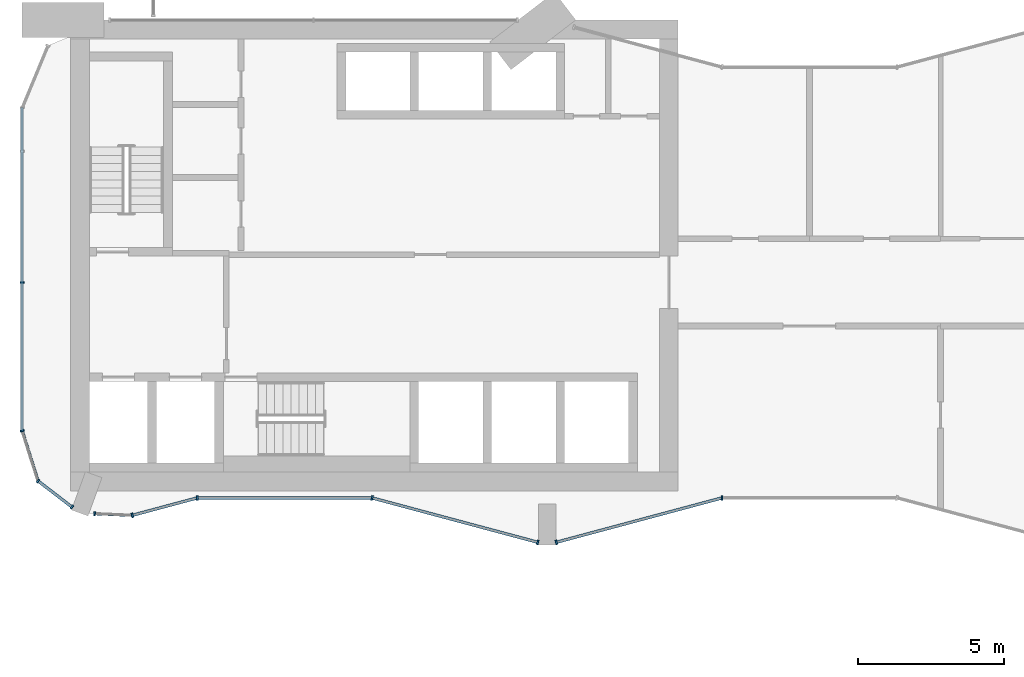
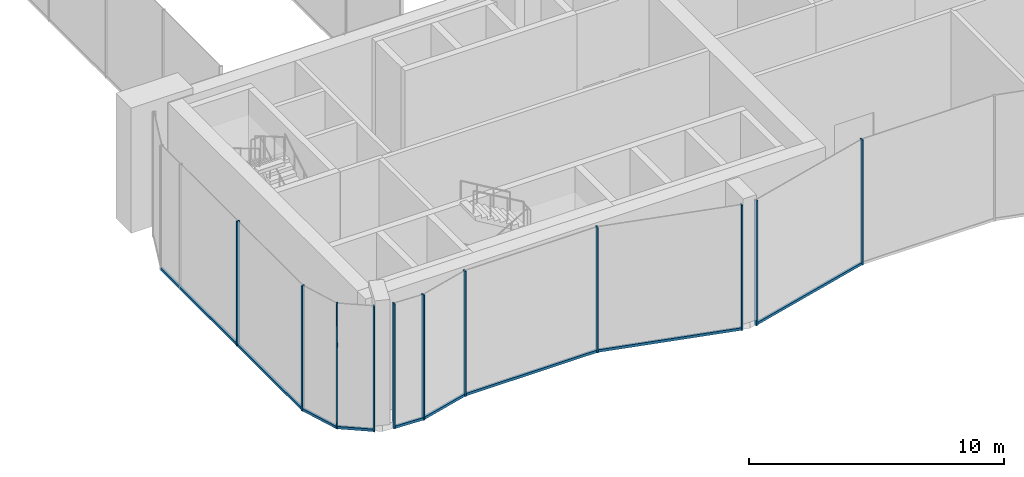
# One storey, part 2 of 19: 19 members, 9 elements without a shape of their own.
"""IFC4 building model written with IfcOpenShell, lengths in metres."""

from ifc_helpers import new_model, si_unit, direction, frame, origin, origin_2d, place, context, subcontext, project, spatial, rectangle, extrude, material, layer, layer_set, material_profile, profile_set, type_object, element, aggregate, save


model = new_model("IFC4")

# Units and contexts
model_context = context("Model", 3, precision=1e-05, world=origin(), true_north=direction((0.0, 1.0)))
body_context = subcontext(model_context, "Body", "Model", "MODEL_VIEW")
ifc_project = project(units=[si_unit("LENGTHUNIT", "METRE"), si_unit("AREAUNIT", "SQUARE_METRE"), si_unit("VOLUMEUNIT", "CUBIC_METRE"), si_unit("PLANEANGLEUNIT", "RADIAN"), si_unit("MASSUNIT", "GRAM", prefix="KILO")], contexts=[model_context])

# Site, building, storey
site_placement = place(None, origin())
site = spatial("IfcSite", under=ifc_project, at=site_placement, CompositionType="ELEMENT")
building_placement = place(site_placement, origin())
building = spatial("IfcBuilding", under=site, at=building_placement, Name="Plateau Cross Towers", CompositionType="ELEMENT")
storey_placement = place(building_placement, frame((0.0, 0.0, 128.60009765625)))
storey = spatial("IfcBuildingStorey", under=building, at=storey_placement, Name="L33", CompositionType="ELEMENT", Elevation=128.60009765625)

# Curtain wall, member
ifc_material_1 = material(Name="Dark low-iron glass", Category="glass")
ifc_layer_1 = layer(ifc_material_1, 0.239990234375)
ifc_layer_set_1 = layer_set([ifc_layer_1], Name="Dark low-iron glass")
curtain_wall_type_1 = type_object("IfcCurtainWallType", Name="Curtain wall flush unitised CW-B", PredefinedType="NOTDEFINED", material=ifc_layer_set_1)
curtain_wall_1_placement = place(storey_placement, origin())
curtain_wall_1 = element("IfcCurtainWall", 1, at=curtain_wall_1_placement, inside=storey, type_object=curtain_wall_type_1, Name="ENV/A/L33/A0_150", PredefinedType="NOTDEFINED")
ifc_material_2 = material(Name="Black anodised aluminium", Category="aluminium")
ifc_material_profile_1 = material_profile(ifc_material_2, rectangle(XDim=0.06005859375, YDim=0.139892578125, at=origin_2d()), Name="MULLION 60x140")
ifc_profile_set_1 = profile_set([ifc_material_profile_1], Name="Black anodised aluminium")
member_type_1 = type_object("IfcMemberType", Name="Mullion 60x140 flush unitised", PredefinedType="MULLION", material=ifc_profile_set_1)
member_1_placement = place(storey_placement, frame((0.0, 9.0, -0.300048828125), z_axis=(0.0, 0.0, 1.0), x_axis=(0.0, -1.0, 0.0)))
member_1 = element("IfcMember", 2, at=member_1_placement, type_object=member_type_1, Name="CW-B mullion 3", PredefinedType="MULLION", context=body_context, shape_type="SweptSolid", body=[
    extrude(rectangle(XDim=0.06005859375, YDim=0.139892578125, at=origin_2d()), origin(), (0.0, 0.0, 1.0), 6.0),
])

curtain_wall_2_placement = place(storey_placement, origin())
curtain_wall_2 = element("IfcCurtainWall", 3, at=curtain_wall_2_placement, inside=storey, type_object=curtain_wall_type_1, Name="ENV/A/L33/A0_39", PredefinedType="NOTDEFINED")
member_2_placement = place(storey_placement, frame((0.0, 3.9091796875, -0.300048828125), z_axis=(0.0, 0.0, 1.0), x_axis=(0.300686174994, -0.95372313811, 0.0)))
member_2 = element("IfcMember", 4, at=member_2_placement, type_object=member_type_1, Name="CW-B mullion 1", PredefinedType="MULLION", context=body_context, shape_type="SweptSolid", body=[
    extrude(rectangle(XDim=0.06005859375, YDim=0.139892578125, at=origin_2d()), origin(), (0.0, 0.0, 1.0), 6.0),
])

# Curtain wall, members
curtain_wall_3_placement = place(storey_placement, origin())
curtain_wall_3 = element("IfcCurtainWall", 5, at=curtain_wall_3_placement, inside=storey, type_object=curtain_wall_type_1, Name="ENV/A/L33/A5_22", PredefinedType="NOTDEFINED")
member_3_placement = place(storey_placement, frame((0.54248046875, 2.1884765625, -0.300048828125), z_axis=(0.0, 0.0, 1.0), x_axis=(0.793315514529, -0.608810721331, 0.0)))
member_3 = element("IfcMember", 6, at=member_3_placement, type_object=member_type_1, Name="CW-B mullion 1", PredefinedType="MULLION", context=body_context, shape_type="SweptSolid", body=[
    extrude(rectangle(XDim=0.06005859375, YDim=0.139892578125, at=origin_2d()), origin(), (0.0, 0.0, 1.0), 6.0),
])
member_4_placement = place(storey_placement, frame((1.709716796875, 1.292724609375, -0.300048828125), z_axis=(0.0, 0.0, 1.0), x_axis=(0.793315514529, -0.608810721331, 0.0)))
member_4 = element("IfcMember", 7, at=member_4_placement, type_object=member_type_1, Name="CW-B mullion 2", PredefinedType="MULLION", context=body_context, shape_type="SweptSolid", body=[
    extrude(rectangle(XDim=0.06005859375, YDim=0.139892578125, at=origin_2d()), origin(), (0.0, 0.0, 1.0), 6.0),
])

# Curtain wall, member
curtain_wall_4_placement = place(storey_placement, origin())
curtain_wall_4 = element("IfcCurtainWall", 8, at=curtain_wall_4_placement, inside=storey, type_object=curtain_wall_type_1, Name="ENV/A/L33/A25_11", PredefinedType="NOTDEFINED")
member_5_placement = place(storey_placement, frame((2.483642578125, 1.06787109375, -0.300048828125), z_axis=(0.0, 0.0, 1.0), x_axis=(0.999043701491, -0.043722791671, 0.0)))
member_5 = element("IfcMember", 9, at=member_5_placement, type_object=member_type_1, Name="CW-B mullion 1", PredefinedType="MULLION", context=body_context, shape_type="SweptSolid", body=[
    extrude(rectangle(XDim=0.06005859375, YDim=0.139892578125, at=origin_2d()), origin(), (0.0, 0.0, 1.0), 6.0),
])

ifc_layer_2 = layer(ifc_material_1, 0.260009765625)
ifc_layer_set_2 = layer_set([ifc_layer_2], Name="Dark low-iron glass")
curtain_wall_type_2 = type_object("IfcCurtainWallType", Name="Curtain wall fluted unitised CW-A", PredefinedType="NOTDEFINED", material=ifc_layer_set_2)
curtain_wall_5_placement = place(storey_placement, origin())
curtain_wall_5 = element("IfcCurtainWall", 10, at=curtain_wall_5_placement, inside=storey, type_object=curtain_wall_type_2, Name="ENV/A/L33/A38_10", PredefinedType="NOTDEFINED")
ifc_material_profile_2 = material_profile(ifc_material_2, rectangle(XDim=0.06005859375, YDim=0.159912109375, at=origin_2d()), Name="MULLION 60x160")
ifc_profile_set_2 = profile_set([ifc_material_profile_2], Name="Black anodised aluminium")
member_type_2 = type_object("IfcMemberType", Name="Mullion 60x160 fluted unitised", PredefinedType="MULLION", material=ifc_profile_set_2)
member_6_placement = place(storey_placement, frame((3.776123046875, 1.01123046875, -0.300048828125), z_axis=(0.0, 0.0, 1.0), x_axis=(0.965957962328, 0.258699081978, 0.0)))
member_6 = element("IfcMember", 11, at=member_6_placement, type_object=member_type_2, Name="CW-A mullion 1", PredefinedType="MULLION", context=body_context, shape_type="SweptSolid", body=[
    extrude(rectangle(XDim=0.06005859375, YDim=0.159912109375, at=origin_2d()), origin(), (0.0, 0.0, 1.0), 6.0),
])

curtain_wall_6_placement = place(storey_placement, origin())
curtain_wall_6 = element("IfcCurtainWall", 12, at=curtain_wall_6_placement, inside=storey, type_object=curtain_wall_type_2, Name="ENV/A/L33/A60_16", PredefinedType="NOTDEFINED")
member_7_placement = place(storey_placement, frame((6.0, 1.60693359375, -0.300048828125), z_axis=(0.0, 0.0, 1.0), x_axis=(1.0, 0.0, 0.0)))
member_7 = element("IfcMember", 13, at=member_7_placement, type_object=member_type_2, Name="CW-A mullion 1", PredefinedType="MULLION", context=body_context, shape_type="SweptSolid", body=[
    extrude(rectangle(XDim=0.06005859375, YDim=0.159912109375, at=origin_2d()), origin(), (0.0, 0.0, 1.0), 6.0),
])

# Curtain wall, members
curtain_wall_7_placement = place(storey_placement, origin())
curtain_wall_7 = element("IfcCurtainWall", 14, at=curtain_wall_7_placement, inside=storey, type_object=curtain_wall_type_2, Name="ENV/A/L33/A120_16", PredefinedType="NOTDEFINED")
member_8_placement = place(storey_placement, frame((12.0, 1.60693359375, -0.300048828125), z_axis=(0.0, 0.0, 1.0), x_axis=(0.965957983404, -0.258699003279, 0.0)))
member_8 = element("IfcMember", 15, at=member_8_placement, type_object=member_type_2, Name="CW-A mullion 1", PredefinedType="MULLION", context=body_context, shape_type="SweptSolid", body=[
    extrude(rectangle(XDim=0.06005859375, YDim=0.159912109375, at=origin_2d()), origin(), (0.0, 0.0, 1.0), 6.0),
])
member_9_placement = place(storey_placement, frame((17.68212890625, 0.085205078125, -0.300048828125), z_axis=(0.0, 0.0, 1.0), x_axis=(0.965957983404, -0.258699003279, 0.0)))
member_9 = element("IfcMember", 16, at=member_9_placement, type_object=member_type_2, Name="CW-A mullion 2", PredefinedType="MULLION", context=body_context, shape_type="SweptSolid", body=[
    extrude(rectangle(XDim=0.06005859375, YDim=0.159912109375, at=origin_2d()), origin(), (0.0, 0.0, 1.0), 6.0),
])

# Curtain wall, member
curtain_wall_8_placement = place(storey_placement, origin())
curtain_wall_8 = element("IfcCurtainWall", 17, at=curtain_wall_8_placement, inside=storey, type_object=curtain_wall_type_2, Name="ENV/A/L33/A183_1", PredefinedType="NOTDEFINED")
member_10_placement = place(storey_placement, frame((18.31787109375, 0.085205078125, -0.300048828125), z_axis=(0.0, 0.0, 1.0), x_axis=(0.965957983404, 0.258699003279, 0.0)))
member_10 = element("IfcMember", 18, at=member_10_placement, type_object=member_type_2, Name="CW-A mullion 1", PredefinedType="MULLION", context=body_context, shape_type="SweptSolid", body=[
    extrude(rectangle(XDim=0.06005859375, YDim=0.159912109375, at=origin_2d()), origin(), (0.0, 0.0, 1.0), 6.0),
])

curtain_wall_9_placement = place(storey_placement, origin())
curtain_wall_9 = element("IfcCurtainWall", 19, at=curtain_wall_9_placement, inside=storey, type_object=curtain_wall_type_2, Name="ENV/A/L33/A240_16", PredefinedType="NOTDEFINED")
member_11_placement = place(storey_placement, frame((24.0, 1.60693359375, -0.300048828125), z_axis=(0.0, 0.0, 1.0), x_axis=(1.0, 0.0, 0.0)))
member_11 = element("IfcMember", 20, at=member_11_placement, type_object=member_type_2, Name="CW-A mullion 1", PredefinedType="MULLION", context=body_context, shape_type="SweptSolid", body=[
    extrude(rectangle(XDim=0.06005859375, YDim=0.159912109375, at=origin_2d()), origin(), (0.0, 0.0, 1.0), 6.0),
])
aggregate(curtain_wall_9, [member_11])

# Member
ifc_material_profile_3 = material_profile(ifc_material_2, rectangle(XDim=0.10009765625, YDim=0.1201171875, at=origin_2d()), Name="TRANSOM 100x120")
ifc_profile_set_3 = profile_set([ifc_material_profile_3], Name="Black anodised aluminium")
member_type_3 = type_object("IfcMemberType", Name="Transom 100x120 flush unitised", PredefinedType="USERDEFINED", material=ifc_profile_set_3)
member_12_placement = place(storey_placement, frame((0.0, 15.0, -0.239990234375), z_axis=(0.0, -1.0, 0.0), x_axis=(1.0, 0.0, 0.0)))
member_12 = element("IfcMember", 21, at=member_12_placement, type_object=member_type_3, Name="CW-B transom", ObjectType="TRANSOM", PredefinedType="USERDEFINED", context=body_context, shape_type="SweptSolid", body=[
    extrude(rectangle(XDim=0.10009765625, YDim=0.1201171875, at=origin_2d()), origin(), (0.0, 0.0, 1.0), 11.0908203125),
])

aggregate(curtain_wall_1, [member_1, member_12])

member_13_placement = place(storey_placement, frame((0.0, 3.9091796875, -0.239990234375), z_axis=(0.30067799945, -0.953725715626, 0.0), x_axis=(0.953725715626, 0.30067799945, 0.0)))
member_13 = element("IfcMember", 22, at=member_13_placement, type_object=member_type_3, Name="CW-B transom", ObjectType="TRANSOM", PredefinedType="USERDEFINED", context=body_context, shape_type="SweptSolid", body=[
    extrude(rectangle(XDim=0.10009765625, YDim=0.1201171875, at=origin_2d()), origin(), (0.0, 0.0, 1.0), 1.80419921875),
])

aggregate(curtain_wall_2, [member_2, member_13])

member_14_placement = place(storey_placement, frame((0.54248046875, 2.1884765625, -0.239990234375), z_axis=(0.793320508571, -0.608804213751, 0.0), x_axis=(0.608804213751, 0.793320508571, 0.0)))
member_14 = element("IfcMember", 23, at=member_14_placement, type_object=member_type_3, Name="CW-B transom", ObjectType="TRANSOM", PredefinedType="USERDEFINED", context=body_context, shape_type="SweptSolid", body=[
    extrude(rectangle(XDim=0.10009765625, YDim=0.1201171875, at=origin_2d()), origin(), (0.0, 0.0, 1.0), 1.471435546875),
])

aggregate(curtain_wall_3, [member_3, member_4, member_14])

member_15_placement = place(storey_placement, frame((2.483642578125, 1.06787109375, -0.239990234375), z_axis=(0.999041144614, -0.043781175963, 0.0), x_axis=(0.043781175963, 0.999041144614, 0.0)))
member_15 = element("IfcMember", 24, at=member_15_placement, type_object=member_type_3, Name="CW-B transom", ObjectType="TRANSOM", PredefinedType="USERDEFINED", context=body_context, shape_type="SweptSolid", body=[
    extrude(rectangle(XDim=0.10009765625, YDim=0.1201171875, at=origin_2d()), origin(), (0.0, 0.0, 1.0), 1.293701171875),
])

aggregate(curtain_wall_4, [member_5, member_15])

ifc_material_profile_4 = material_profile(ifc_material_2, rectangle(XDim=0.10009765625, YDim=0.1201171875, at=origin_2d()), Name="TRANSOM 100x120")
ifc_profile_set_4 = profile_set([ifc_material_profile_4], Name="Black anodised aluminium")
member_type_4 = type_object("IfcMemberType", Name="Transom 100x120 fluted unitised", PredefinedType="USERDEFINED", material=ifc_profile_set_4)
member_16_placement = place(storey_placement, frame((3.776123046875, 1.01123046875, -0.239990234375), z_axis=(0.965945685136, 0.258744919501, 0.0), x_axis=(-0.258744919501, 0.965945685136, 0.0)))
member_16 = element("IfcMember", 25, at=member_16_placement, type_object=member_type_4, Name="CW-A transom", ObjectType="TRANSOM", PredefinedType="USERDEFINED", context=body_context, shape_type="SweptSolid", body=[
    extrude(rectangle(XDim=0.10009765625, YDim=0.1201171875, at=origin_2d()), origin(), (0.0, 0.0, 1.0), 2.30224609375),
])

aggregate(curtain_wall_5, [member_6, member_16])

member_17_placement = place(storey_placement, frame((6.0, 1.60693359375, -0.239990234375), z_axis=(1.0, 0.0, 0.0), x_axis=(0.0, 1.0, 0.0)))
member_17 = element("IfcMember", 26, at=member_17_placement, type_object=member_type_4, Name="CW-A transom", ObjectType="TRANSOM", PredefinedType="USERDEFINED", context=body_context, shape_type="SweptSolid", body=[
    extrude(rectangle(XDim=0.10009765625, YDim=0.1201171875, at=origin_2d()), origin(), (0.0, 0.0, 1.0), 6.0),
])

aggregate(curtain_wall_6, [member_7, member_17])

member_18_placement = place(storey_placement, frame((12.0, 1.60693359375, -0.239990234375), z_axis=(0.965959534794, -0.258693210465, 0.0), x_axis=(0.258693210465, 0.965959534794, 0.0)))
member_18 = element("IfcMember", 27, at=member_18_placement, type_object=member_type_4, Name="CW-A transom", ObjectType="TRANSOM", PredefinedType="USERDEFINED", context=body_context, shape_type="SweptSolid", body=[
    extrude(rectangle(XDim=0.10009765625, YDim=0.1201171875, at=origin_2d()), origin(), (0.0, 0.0, 1.0), 5.88232421875),
])

aggregate(curtain_wall_7, [member_8, member_9, member_18])

member_19_placement = place(storey_placement, frame((18.31787109375, 0.085205078125, -0.239990234375), z_axis=(0.965959534794, 0.258693210465, 0.0), x_axis=(-0.258693210465, 0.965959534794, 0.0)))
member_19 = element("IfcMember", 28, at=member_19_placement, type_object=member_type_4, Name="CW-A transom", ObjectType="TRANSOM", PredefinedType="USERDEFINED", context=body_context, shape_type="SweptSolid", body=[
    extrude(rectangle(XDim=0.10009765625, YDim=0.1201171875, at=origin_2d()), origin(), (0.0, 0.0, 1.0), 5.88232421875),
])

aggregate(curtain_wall_8, [member_10, member_19])

save(model, "model.ifc")
